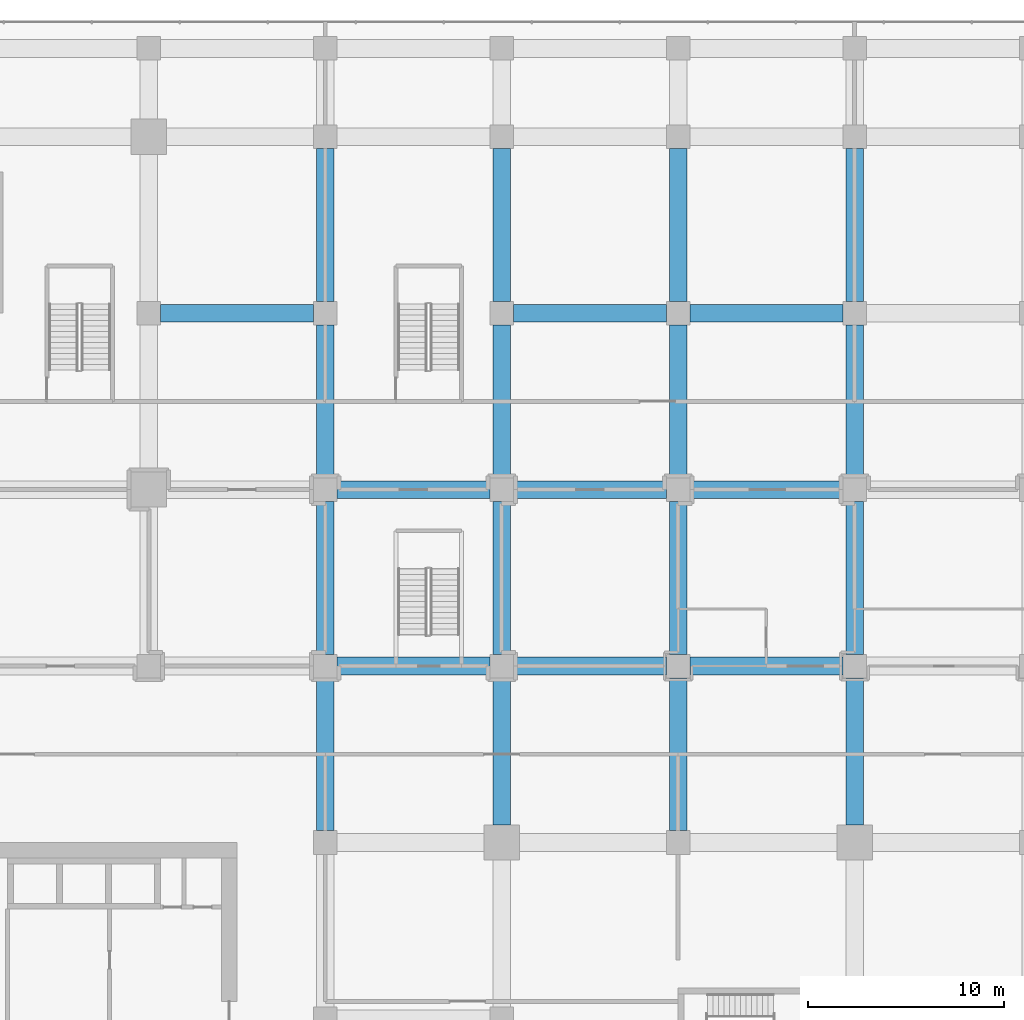
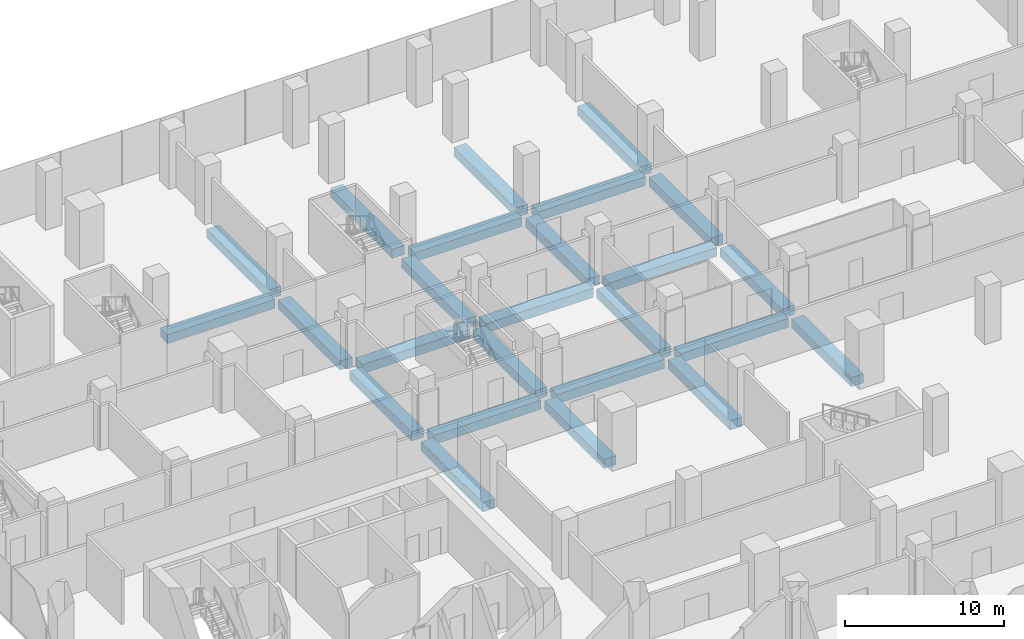
# One storey, part 12 of 43: 25 beams.
"""IFC4 building model written with IfcOpenShell, lengths in metres."""

from ifc_helpers import new_model, si_unit, direction, frame, origin, origin_2d, place, context, subcontext, project, spatial, rectangle, extrude, material, material_profile, profile_set, type_object, element, save


model = new_model("IFC4")

# Units and contexts
model_context = context("Model", 3, precision=1e-05, world=origin(), true_north=direction((0.0, 1.0)))
body_context = subcontext(model_context, "Body", "Model", "MODEL_VIEW")
ifc_project = project(units=[si_unit("LENGTHUNIT", "METRE"), si_unit("AREAUNIT", "SQUARE_METRE"), si_unit("VOLUMEUNIT", "CUBIC_METRE"), si_unit("PLANEANGLEUNIT", "RADIAN"), si_unit("MASSUNIT", "GRAM", prefix="KILO")], contexts=[model_context])

# Site, building, storey
site_placement = place(None, origin())
site = spatial("IfcSite", under=ifc_project, at=site_placement, CompositionType="ELEMENT")
building_placement = place(site_placement, origin())
building = spatial("IfcBuilding", under=site, at=building_placement, Name="Plateau Cross Towers", CompositionType="ELEMENT")
storey_placement = place(building_placement, frame((0.0, 0.0, 12.800048828125)))
storey = spatial("IfcBuildingStorey", under=building, at=storey_placement, Name="L02", CompositionType="ELEMENT", Elevation=12.800048828125)

# Beams
ifc_material = material(Name="Concrete C50/60", Category="concrete")
ifc_material_profile = material_profile(ifc_material, rectangle(XDim=0.89990234375, YDim=0.699951171875, at=origin_2d()), Name="RC 900x700")
ifc_profile_set = profile_set([ifc_material_profile], Name="Concrete C50/60")
beam_type = type_object("IfcBeamType", Name="Podium band beam RC 900x700", PredefinedType="BEAM", material=ifc_profile_set)
for number, where, z_axis, x_axis, name in (
    (1, (27.60009765625, 27.0, -0.699951171875), (1.0, 0.0, 0.0), (0.0, 1.0, 0.0), "PB36@L02"),
    (2, (36.60009765625, 27.0, -0.699951171875), (1.0, 0.0, 0.0), (0.0, 1.0, 0.0), "PB37@L02"),
    (3, (45.60009765625, 27.0, -0.699951171875), (1.0, 0.0, 0.0), (0.0, 1.0, 0.0), "PB38@L02"),
    (4, (27.60009765625, 36.0, -0.699951171875), (1.0, 0.0, 0.0), (0.0, 1.0, 0.0), "PB49@L02"),
    (5, (36.60009765625, 36.0, -0.699951171875), (1.0, 0.0, 0.0), (0.0, 1.0, 0.0), "PB50@L02"),
    (6, (45.60009765625, 36.0, -0.699951171875), (1.0, 0.0, 0.0), (0.0, 1.0, 0.0), "PB51@L02"),
    (7, (18.60009765625, 45.0, -0.699951171875), (1.0, 0.0, 0.0), (0.0, 1.0, 0.0), "PB59@L02"),
    (8, (36.60009765625, 45.0, -0.699951171875), (1.0, 0.0, 0.0), (0.0, 1.0, 0.0), "PB60@L02"),
    (9, (45.60009765625, 45.0, -0.699951171875), (1.0, 0.0, 0.0), (0.0, 1.0, 0.0), "PB61@L02"),
    (10, (27.0, 18.60009765625, -0.699951171875), (0.0, 1.0, 0.0), (-1.0, 0.0, 0.0), "PB118@L02"),
    (11, (27.0, 27.60009765625, -0.699951171875), (0.0, 1.0, 0.0), (-1.0, 0.0, 0.0), "PB119@L02"),
    (12, (27.0, 36.60009765625, -0.699951171875), (0.0, 1.0, 0.0), (-1.0, 0.0, 0.0), "PB120@L02"),
    (13, (27.0, 45.60009765625, -0.699951171875), (0.0, 1.0, 0.0), (-1.0, 0.0, 0.0), "PB121@L02"),
):
    element("IfcBeam", number, at=place(storey_placement, frame(where, z_axis=z_axis, x_axis=x_axis)), inside=storey, type_object=beam_type, Name=name, PredefinedType="BEAM", context=body_context, shape_type="SweptSolid", body=[
        extrude(rectangle(XDim=0.89990234375, YDim=0.699951171875, at=origin_2d()), origin(), (0.0, 0.0, 1.0), 7.7998046875),
    ])
beam_1_placement = place(storey_placement, frame((36.0, 18.89990234375, -0.699951171875), z_axis=(0.0, 1.0, 0.0), x_axis=(-1.0, 0.0, 0.0)))
element("IfcBeam", 14, at=beam_1_placement, inside=storey, type_object=beam_type, Name="PB127@L02", PredefinedType="BEAM", context=body_context, shape_type="SweptSolid", body=[
    extrude(rectangle(XDim=0.89990234375, YDim=0.699951171875, at=origin_2d()), origin(), (0.0, 0.0, 1.0), 7.5),
])
for number, where, z_axis, x_axis, name in (
    (15, (36.0, 27.60009765625, -0.699951171875), (0.0, 1.0, 0.0), (-1.0, 0.0, 0.0), "PB128@L02"),
    (16, (36.0, 36.60009765625, -0.699951171875), (0.0, 1.0, 0.0), (-1.0, 0.0, 0.0), "PB129@L02"),
    (17, (36.0, 45.60009765625, -0.699951171875), (0.0, 1.0, 0.0), (-1.0, 0.0, 0.0), "PB130@L02"),
    (18, (45.0, 18.60009765625, -0.699951171875), (0.0, 1.0, 0.0), (-1.0, 0.0, 0.0), "PB134@L02"),
    (19, (45.0, 27.60009765625, -0.699951171875), (0.0, 1.0, 0.0), (-1.0, 0.0, 0.0), "PB135@L02"),
    (20, (45.0, 36.60009765625, -0.699951171875), (0.0, 1.0, 0.0), (-1.0, 0.0, 0.0), "PB136@L02"),
    (21, (45.0, 45.60009765625, -0.699951171875), (0.0, 1.0, 0.0), (-1.0, 0.0, 0.0), "PB137@L02"),
):
    element("IfcBeam", number, at=place(storey_placement, frame(where, z_axis=z_axis, x_axis=x_axis)), inside=storey, type_object=beam_type, Name=name, PredefinedType="BEAM", context=body_context, shape_type="SweptSolid", body=[
        extrude(rectangle(XDim=0.89990234375, YDim=0.699951171875, at=origin_2d()), origin(), (0.0, 0.0, 1.0), 7.7998046875),
    ])
beam_2_placement = place(storey_placement, frame((54.0, 18.89990234375, -0.699951171875), z_axis=(0.0, 1.0, 0.0), x_axis=(-1.0, 0.0, 0.0)))
element("IfcBeam", 22, at=beam_2_placement, inside=storey, type_object=beam_type, Name="PB143@L02", PredefinedType="BEAM", context=body_context, shape_type="SweptSolid", body=[
    extrude(rectangle(XDim=0.89990234375, YDim=0.699951171875, at=origin_2d()), origin(), (0.0, 0.0, 1.0), 7.5),
])
for number, where, z_axis, x_axis, name in (
    (23, (54.0, 27.60009765625, -0.699951171875), (0.0, 1.0, 0.0), (-1.0, 0.0, 0.0), "PB144@L02"),
    (24, (54.0, 36.60009765625, -0.699951171875), (0.0, 1.0, 0.0), (-1.0, 0.0, 0.0), "PB145@L02"),
    (25, (54.0, 45.60009765625, -0.699951171875), (0.0, 1.0, 0.0), (-1.0, 0.0, 0.0), "PB146@L02"),
):
    element("IfcBeam", number, at=place(storey_placement, frame(where, z_axis=z_axis, x_axis=x_axis)), inside=storey, type_object=beam_type, Name=name, PredefinedType="BEAM", context=body_context, shape_type="SweptSolid", body=[
        extrude(rectangle(XDim=0.89990234375, YDim=0.699951171875, at=origin_2d()), origin(), (0.0, 0.0, 1.0), 7.7998046875),
    ])

save(model, "model.ifc")
